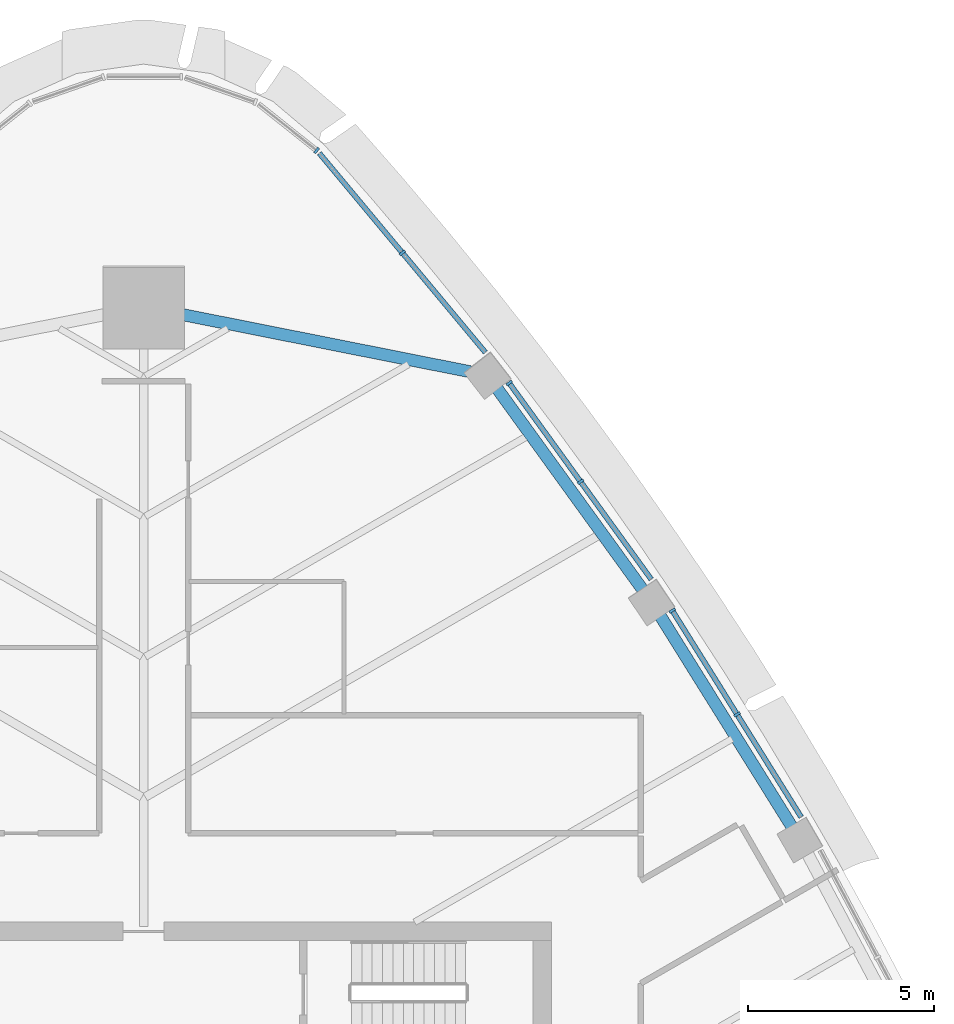
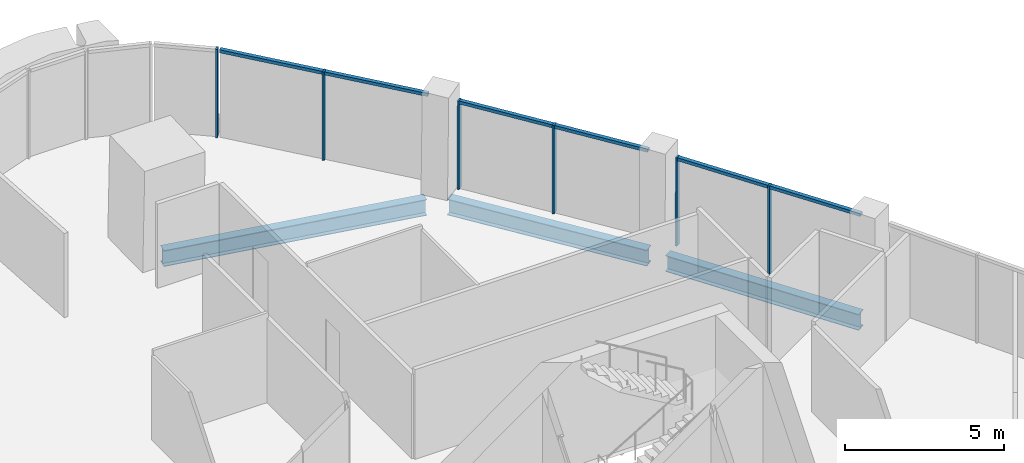
# One storey, part 6 of 15: 12 members, 3 beams, 4 elements without a shape of their own.
"""IFC4 building model written with IfcOpenShell, lengths in metres."""

from ifc_helpers import new_model, si_unit, direction, frame, origin, origin_2d, place, context, subcontext, project, spatial, rectangle, i_section, extrude, material, layer, layer_set, material_profile, profile_set, type_object, element, aggregate, save


model = new_model("IFC4")

# Units and contexts
model_context = context("Model", 3, precision=1e-05, world=origin(), true_north=direction((0.0, 1.0)))
body_context = subcontext(model_context, "Body", "Model", "MODEL_VIEW")
ifc_project = project(units=[si_unit("LENGTHUNIT", "METRE"), si_unit("AREAUNIT", "SQUARE_METRE"), si_unit("VOLUMEUNIT", "CUBIC_METRE"), si_unit("PLANEANGLEUNIT", "RADIAN"), si_unit("MASSUNIT", "GRAM", prefix="KILO")], contexts=[model_context])

# Site, building, storey
site_placement = place(None, origin())
site = spatial("IfcSite", under=ifc_project, at=site_placement, CompositionType="ELEMENT")
building_placement = place(site_placement, origin())
building = spatial("IfcBuilding", under=site, at=building_placement, Name="Sierra Prisma Convention Tower", CompositionType="ELEMENT")
storey_placement = place(building_placement, frame((0.0, 0.0, 267.0)))
storey = spatial("IfcBuildingStorey", under=building, at=storey_placement, Name="L60", CompositionType="ELEMENT", Elevation=267.0)

# Curtain wall, members
ifc_material_1 = material(Name="Aluminium and glass curtain wall", Category="aluminium")
ifc_layer = layer(ifc_material_1, 0.179931640625)
ifc_layer_set = layer_set([ifc_layer], Name="CW-1 Plain shaft curtain wall")
curtain_wall_type = type_object("IfcCurtainWallType", Name="CW-1 Plain shaft curtain wall", PredefinedType="NOTDEFINED", material=ifc_layer_set)
curtain_wall_1_placement = place(storey_placement, origin())
curtain_wall_1 = element("IfcCurtainWall", 1, at=curtain_wall_1_placement, inside=storey, type_object=curtain_wall_type, Name="CW-1 NE4 L60", PredefinedType="NOTDEFINED")
ifc_material_2 = material(Name="Aluminium 6063-T6 bronze anodised", Category="aluminium")
ifc_material_profile_1 = material_profile(ifc_material_2, rectangle(XDim=0.179931640625, YDim=0.070068359375, at=origin_2d()), Name="ALU MULLION 70x180")
ifc_profile_set_1 = profile_set([ifc_material_profile_1], Name="Aluminium 6063-T6 bronze anodised")
member_type_1 = type_object("IfcMemberType", Name="CW mullion bronze", PredefinedType="MULLION", material=ifc_profile_set_1)
member_1_placement = place(storey_placement, frame((15.994873046875, 13.599609375, 0.0), z_axis=(0.0, 0.0, 1.0), x_axis=(-0.848378834631, -0.52938960412, 0.0)))
member_1 = element("IfcMember", 2, at=member_1_placement, type_object=member_type_1, Name="CW-1 mullion NE4.2", PredefinedType="MULLION", context=body_context, shape_type="SweptSolid", body=[
    extrude(rectangle(XDim=0.179931640625, YDim=0.070068359375, at=origin_2d()), origin(), (0.0, 0.0, 1.0), 3.39990234375),
])
member_2_placement = place(storey_placement, frame((14.249267578125, 16.39697265625, 0.0), z_axis=(0.0, 0.0, 1.0), x_axis=(-0.848378834631, -0.52938960412, 0.0)))
member_2 = element("IfcMember", 3, at=member_2_placement, type_object=member_type_1, Name="CW-1 mullion NE4.3", PredefinedType="MULLION", context=body_context, shape_type="SweptSolid", body=[
    extrude(rectangle(XDim=0.179931640625, YDim=0.070068359375, at=origin_2d()), origin(), (0.0, 0.0, 1.0), 3.39990234375),
])

curtain_wall_2_placement = place(storey_placement, origin())
curtain_wall_2 = element("IfcCurtainWall", 4, at=curtain_wall_2_placement, inside=storey, type_object=curtain_wall_type, Name="CW-1 NE5 L60", PredefinedType="NOTDEFINED")
member_3_placement = place(storey_placement, frame((11.777587890625, 19.87060546875, 0.0), z_axis=(0.0, 0.0, 1.0), x_axis=(-0.810116687519, -0.5862686693, 0.0)))
member_3 = element("IfcMember", 5, at=member_3_placement, type_object=member_type_1, Name="CW-1 mullion NE5.2", PredefinedType="MULLION", context=body_context, shape_type="SweptSolid", body=[
    extrude(rectangle(XDim=0.179931640625, YDim=0.070068359375, at=origin_2d()), origin(), (0.0, 0.0, 1.0), 3.39990234375),
])
member_4_placement = place(storey_placement, frame((9.853271484375, 22.529541015625, 0.0), z_axis=(0.0, 0.0, 1.0), x_axis=(-0.810116687519, -0.5862686693, 0.0)))
member_4 = element("IfcMember", 6, at=member_4_placement, type_object=member_type_1, Name="CW-1 mullion NE5.3", PredefinedType="MULLION", context=body_context, shape_type="SweptSolid", body=[
    extrude(rectangle(XDim=0.179931640625, YDim=0.070068359375, at=origin_2d()), origin(), (0.0, 0.0, 1.0), 3.39990234375),
])

# Curtain wall, member
curtain_wall_3_placement = place(storey_placement, origin())
curtain_wall_3 = element("IfcCurtainWall", 7, at=curtain_wall_3_placement, inside=storey, type_object=curtain_wall_type, Name="CW-1 NE6 L60", PredefinedType="NOTDEFINED")
member_5_placement = place(storey_placement, frame((6.97412109375, 26.0390625, 0.0), z_axis=(0.0, 0.0, 1.0), x_axis=(-0.768047623902, -0.640392729049, 0.0)))
member_5 = element("IfcMember", 8, at=member_5_placement, type_object=member_type_1, Name="CW-1 mullion NE6.2", PredefinedType="MULLION", context=body_context, shape_type="SweptSolid", body=[
    extrude(rectangle(XDim=0.179931640625, YDim=0.070068359375, at=origin_2d()), origin(), (0.0, 0.0, 1.0), 3.39990234375),
])

curtain_wall_4_placement = place(storey_placement, origin())
curtain_wall_4 = element("IfcCurtainWall", 9, at=curtain_wall_4_placement, inside=storey, type_object=curtain_wall_type, Name="CW-1 N1 L60", PredefinedType="NOTDEFINED")
member_6_placement = place(storey_placement, frame((4.664794921875, 28.797607421875, 0.0), z_axis=(0.0, 0.0, 1.0), x_axis=(-0.623493967812, -0.781828160213, 0.0)))
member_6 = element("IfcMember", 10, at=member_6_placement, type_object=member_type_1, Name="CW-1 mullion N1.1", PredefinedType="MULLION", context=body_context, shape_type="SweptSolid", body=[
    extrude(rectangle(XDim=0.179931640625, YDim=0.070068359375, at=origin_2d()), origin(), (0.0, 0.0, 1.0), 3.39990234375),
])
aggregate(curtain_wall_4, [member_6])

# Member
ifc_material_3 = material(Name="Aluminium 6063-T6 bronze anodised", Category="aluminium")
ifc_material_profile_2 = material_profile(ifc_material_3, rectangle(XDim=0.139892578125, YDim=0.1201171875, at=origin_2d()), Name="ALU TRANSOM 120x140")
ifc_profile_set_2 = profile_set([ifc_material_profile_2], Name="Aluminium 6063-T6 bronze anodised")
member_type_2 = type_object("IfcMemberType", Name="CW transom bronze", PredefinedType="USERDEFINED", material=ifc_profile_set_2)
member_7_placement = place(storey_placement, frame((17.721923828125, 10.831787109375, 3.340087890625), z_axis=(-0.529380020738, 0.8483848146, 0.0), x_axis=(-0.8483848146, -0.529380020738, 0.0)))
member_7 = element("IfcMember", 11, at=member_7_placement, type_object=member_type_2, Name="CW-1 transom NE4.1", ObjectType="TRANSOM", PredefinedType="USERDEFINED", context=body_context, shape_type="SweptSolid", body=[
    extrude(rectangle(XDim=0.139892578125, YDim=0.1201171875, at=origin_2d()), origin(), (0.0, 0.0, 1.0), 3.227294921875),
])

member_8_placement = place(storey_placement, frame((15.976318359375, 13.629150390625, 3.340087890625), z_axis=(-0.529380020738, 0.8483848146, 0.0), x_axis=(-0.8483848146, -0.529380020738, 0.0)))
member_8 = element("IfcMember", 12, at=member_8_placement, type_object=member_type_2, Name="CW-1 transom NE4.2", ObjectType="TRANSOM", PredefinedType="USERDEFINED", context=body_context, shape_type="SweptSolid", body=[
    extrude(rectangle(XDim=0.139892578125, YDim=0.1201171875, at=origin_2d()), origin(), (0.0, 0.0, 1.0), 3.227294921875),
])

aggregate(curtain_wall_1, [member_1, member_2, member_7, member_8])

member_9_placement = place(storey_placement, frame((13.681396484375, 17.23974609375, 3.340087890625), z_axis=(-0.586245034314, 0.810133791261, 0.0), x_axis=(-0.810133791261, -0.586245034314, 0.0)))
member_9 = element("IfcMember", 13, at=member_9_placement, type_object=member_type_2, Name="CW-1 transom NE5.1", ObjectType="TRANSOM", PredefinedType="USERDEFINED", context=body_context, shape_type="SweptSolid", body=[
    extrude(rectangle(XDim=0.139892578125, YDim=0.1201171875, at=origin_2d()), origin(), (0.0, 0.0, 1.0), 3.21240234375),
])

member_10_placement = place(storey_placement, frame((11.757080078125, 19.89892578125, 3.340087890625), z_axis=(-0.586281129992, 0.810107669767, 0.0), x_axis=(-0.810107669767, -0.586281129992, 0.0)))
member_10 = element("IfcMember", 14, at=member_10_placement, type_object=member_type_2, Name="CW-1 transom NE5.2", ObjectType="TRANSOM", PredefinedType="USERDEFINED", context=body_context, shape_type="SweptSolid", body=[
    extrude(rectangle(XDim=0.139892578125, YDim=0.1201171875, at=origin_2d()), origin(), (0.0, 0.0, 1.0), 3.21240234375),
])

aggregate(curtain_wall_2, [member_3, member_4, member_9, member_10])

member_11_placement = place(storey_placement, frame((9.211181640625, 23.35595703125, 3.340087890625), z_axis=(-0.640364919363, 0.768070810569, 0.0), x_axis=(-0.768070810569, -0.640364919363, 0.0)))
member_11 = element("IfcMember", 15, at=member_11_placement, type_object=member_type_2, Name="CW-1 transom NE6.1", ObjectType="TRANSOM", PredefinedType="USERDEFINED", context=body_context, shape_type="SweptSolid", body=[
    extrude(rectangle(XDim=0.139892578125, YDim=0.1201171875, at=origin_2d()), origin(), (0.0, 0.0, 1.0), 3.458251953125),
])

member_12_placement = place(storey_placement, frame((6.95166015625, 26.06591796875, 3.340087890625), z_axis=(-0.640399642306, 0.768041859624, 0.0), x_axis=(-0.768041859624, -0.640399642306, 0.0)))
member_12 = element("IfcMember", 16, at=member_12_placement, type_object=member_type_2, Name="CW-1 transom NE6.2", ObjectType="TRANSOM", PredefinedType="USERDEFINED", context=body_context, shape_type="SweptSolid", body=[
    extrude(rectangle(XDim=0.139892578125, YDim=0.1201171875, at=origin_2d()), origin(), (0.0, 0.0, 1.0), 3.458251953125),
])

aggregate(curtain_wall_3, [member_5, member_11, member_12])

# Beams
ifc_material_4 = material(Name="Steel ASTM A992 Gr 50", Category="steel")
ifc_material_profile_3 = material_profile(ifc_material_4, i_section(OverallWidth=0.324951171875, OverallDepth=0.615966796875, WebThickness=0.013916015625, FlangeThickness=0.021484375, at=origin_2d()), Name="W610x174")
ifc_profile_set_3 = profile_set([ifc_material_profile_3], Name="Steel ASTM A992 Gr 50")
beam_type = type_object("IfcBeamType", Name="Spandrel beam W610x174", PredefinedType="BEAM", material=ifc_profile_set_3)
beam_1_placement = place(storey_placement, frame((17.519287109375, 10.495849609375, -0.4580078125), z_axis=(-0.529393831369, 0.848376196807, 0.0), x_axis=(-0.848376196807, -0.529393831369, 0.0)))
element("IfcBeam", 17, at=beam_1_placement, inside=storey, type_object=beam_type, Name="Spandrel L60-10", PredefinedType="BEAM", context=body_context, shape_type="SweptSolid", body=[
    extrude(i_section(OverallWidth=0.324951171875, OverallDepth=0.615966796875, WebThickness=0.013916015625, FlangeThickness=0.021484375, at=origin_2d()), origin(), (0.0, 0.0, 1.0), 6.89208984375),
])
beam_2_placement = place(storey_placement, frame((13.502197265625, 16.890869140625, -0.4580078125), z_axis=(-0.586276613218, 0.810110938572, 0.0), x_axis=(-0.810110938572, -0.586276613218, 0.0)))
element("IfcBeam", 18, at=beam_2_placement, inside=storey, type_object=beam_type, Name="Spandrel L60-11", PredefinedType="BEAM", context=body_context, shape_type="SweptSolid", body=[
    extrude(i_section(OverallWidth=0.324951171875, OverallDepth=0.615966796875, WebThickness=0.013916015625, FlangeThickness=0.021484375, at=origin_2d()), origin(), (0.0, 0.0, 1.0), 6.892333984375),
])
beam_3_placement = place(storey_placement, frame((8.801513671875, 22.83447265625, -0.4580078125), z_axis=(-0.98084274045, 0.194801228196, 0.0), x_axis=(-0.194801228196, -0.98084274045, 0.0)))
element("IfcBeam", 19, at=beam_3_placement, inside=storey, type_object=beam_type, Name="Spandrel L60-12", PredefinedType="BEAM", context=body_context, shape_type="SweptSolid", body=[
    extrude(i_section(OverallWidth=0.324951171875, OverallDepth=0.615966796875, WebThickness=0.013916015625, FlangeThickness=0.021484375, at=origin_2d()), origin(), (0.0, 0.0, 1.0), 8.749267578125),
])

save(model, "model.ifc")
